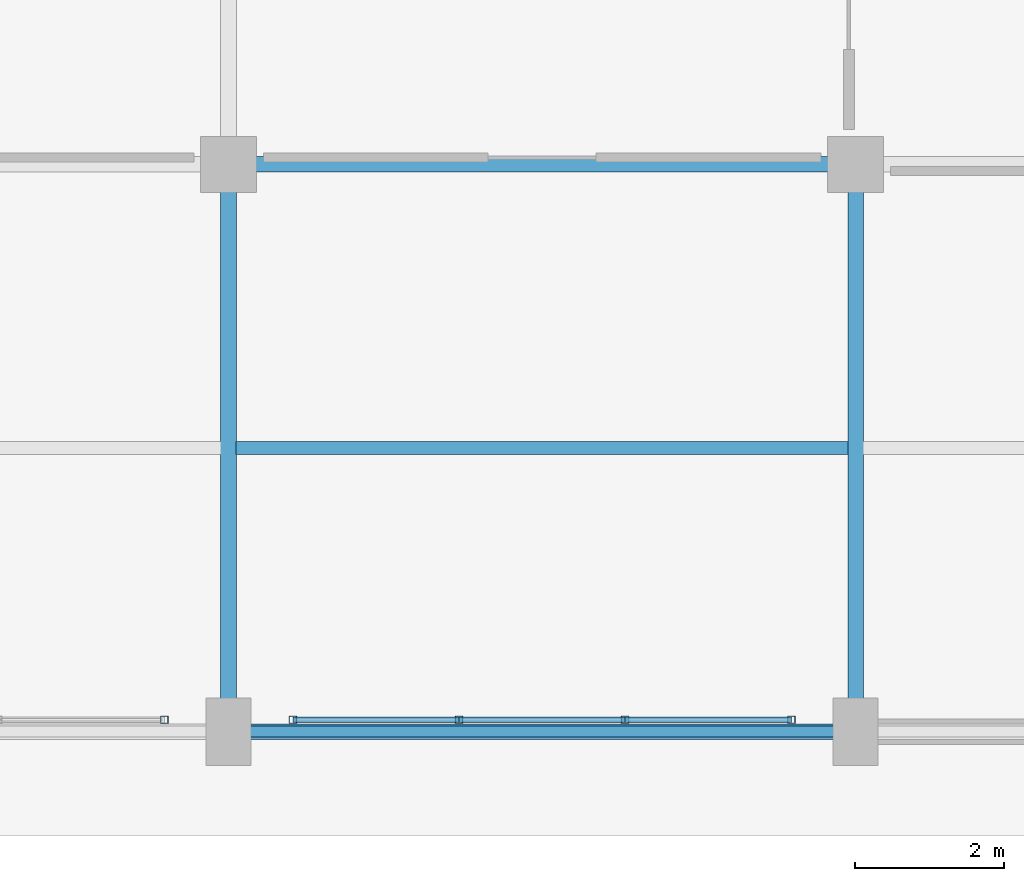
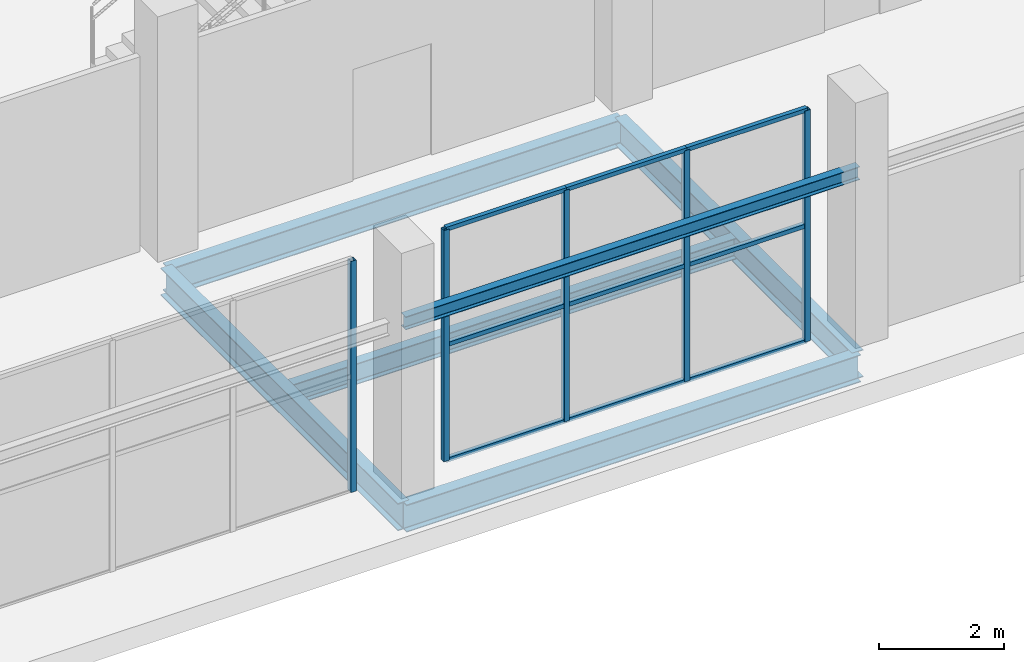
# One storey, part 5 of 36: 14 members, 6 beams, 2 elements without a shape of their own.
"""IFC4 building model written with IfcOpenShell, lengths in metres."""

from ifc_helpers import new_model, si_unit, direction, frame, origin, origin_2d, place, context, subcontext, project, spatial, hollow_rectangle, i_section, extrude, material, material_profile, profile_set, type_object, element, aggregate, save


model = new_model("IFC4")

# Units and contexts
model_context = context("Model", 3, precision=1e-05, world=origin(), true_north=direction((0.0, 1.0)))
body_context = subcontext(model_context, "Body", "Model", "MODEL_VIEW")
ifc_project = project(units=[si_unit("LENGTHUNIT", "METRE"), si_unit("AREAUNIT", "SQUARE_METRE"), si_unit("VOLUMEUNIT", "CUBIC_METRE"), si_unit("PLANEANGLEUNIT", "RADIAN"), si_unit("MASSUNIT", "GRAM", prefix="KILO")], contexts=[model_context])

# Site, building, storey
site_placement = place(None, origin())
site = spatial("IfcSite", under=ifc_project, at=site_placement, CompositionType="ELEMENT")
building_placement = place(site_placement, origin())
building = spatial("IfcBuilding", under=site, at=building_placement, Name="Zuvorla Pavilion Media Centre", CompositionType="ELEMENT")
storey_placement = place(building_placement, origin())
storey = spatial("IfcBuildingStorey", under=building, at=storey_placement, Name="L00", CompositionType="ELEMENT", Elevation=0.0)

# Beams
ifc_material_1 = material(Name="Steel S355", Category="steel")
ifc_material_profile_1 = material_profile(ifc_material_1, i_section(OverallWidth=0.146484375, OverallDepth=0.256103515625, WebThickness=0.00634765625, FlangeThickness=0.010986328125, FilletRadius=0.007568359375, at=origin_2d()), Name="UB 254x146x37")
ifc_profile_set_1 = profile_set([ifc_material_profile_1], Name="Steel S355")
beam_type_1 = type_object("IfcBeamType", Name="BM-UB254", PredefinedType="LINTEL", material=ifc_profile_set_1)
beam_1_placement = place(storey_placement, frame((41.60009765625, 6.0, 3.10009765625), z_axis=(1.0, 0.0, 0.0), x_axis=(0.0, 1.0, 0.0)))
element("IfcBeam", 1, at=beam_1_placement, inside=storey, type_object=beam_type_1, Name="L00 lintel LN01 1755", PredefinedType="LINTEL", context=body_context, shape_type="SweptSolid", body=[
    extrude(i_section(OverallWidth=0.146484375, OverallDepth=0.256103515625, WebThickness=0.00634765625, FlangeThickness=0.010986328125, FilletRadius=0.007568359375, at=origin_2d()), origin(), (0.0, 0.0, 1.0), 8.39990234375),
])
ifc_material_profile_2 = material_profile(ifc_material_1, i_section(OverallWidth=0.1787109375, OverallDepth=0.409423828125, WebThickness=0.0087890625, FlangeThickness=0.014404296875, FilletRadius=0.01025390625, at=origin_2d()), Name="UB 406x178x67")
ifc_profile_set_2 = profile_set([ifc_material_profile_2], Name="Steel S355")
beam_type_2 = type_object("IfcBeamType", Name="BM-UB406", PredefinedType="JOIST", material=ifc_profile_set_2)
beam_2_placement = place(storey_placement, frame((41.699951171875, 9.800048828125, -0.6328125), z_axis=(1.0, 0.0, 0.0), x_axis=(0.0, 1.0, 0.0)))
element("IfcBeam", 2, at=beam_2_placement, inside=storey, type_object=beam_type_2, Name="L00 joist J02 348", PredefinedType="JOIST", context=body_context, shape_type="SweptSolid", body=[
    extrude(i_section(OverallWidth=0.1787109375, OverallDepth=0.409423828125, WebThickness=0.0087890625, FlangeThickness=0.014404296875, FilletRadius=0.01025390625, at=origin_2d()), origin(), (0.0, 0.0, 1.0), 8.199951171875),
])
ifc_material_profile_3 = material_profile(ifc_material_1, i_section(OverallWidth=0.2099609375, OverallDepth=0.53662109375, WebThickness=0.0107421875, FlangeThickness=0.017333984375, FilletRadius=0.0126953125, at=origin_2d()), Name="UB 533x210x101")
ifc_profile_set_3 = profile_set([ifc_material_profile_3], Name="Steel S355")
beam_type_3 = type_object("IfcBeamType", Name="BM-UB533", PredefinedType="BEAM", material=ifc_profile_set_3)
for number, where, z_axis, x_axis, name in (
    (3, (41.60009765625, 6.0, -0.6962890625), (1.0, 0.0, 0.0), (0.0, 1.0, 0.0), "L00 beam B08 5"),
    (4, (41.60009765625, 13.60009765625, -0.6962890625), (1.0, 0.0, 0.0), (0.0, 1.0, 0.0), "L00 beam B08 22"),
):
    element("IfcBeam", number, at=place(storey_placement, frame(where, z_axis=z_axis, x_axis=x_axis)), inside=storey, type_object=beam_type_3, Name=name, PredefinedType="BEAM", context=body_context, shape_type="SweptSolid", body=[
        extrude(i_section(OverallWidth=0.2099609375, OverallDepth=0.53662109375, WebThickness=0.0107421875, FlangeThickness=0.017333984375, FilletRadius=0.0126953125, at=origin_2d()), origin(), (0.0, 0.0, 1.0), 8.39990234375),
    ])
for number, where, z_axis, x_axis, name in (
    (5, (41.60009765625, 6.0, -0.6962890625), (0.0, 1.0, 0.0), (-1.0, 0.0, 0.0), "L00 beam B08 196"),
    (6, (50.0, 6.0, -0.6962890625), (0.0, 1.0, 0.0), (-1.0, 0.0, 0.0), "L00 beam B08 211"),
):
    element("IfcBeam", number, at=place(storey_placement, frame(where, z_axis=z_axis, x_axis=x_axis)), inside=storey, type_object=beam_type_3, Name=name, PredefinedType="BEAM", context=body_context, shape_type="SweptSolid", body=[
        extrude(i_section(OverallWidth=0.2099609375, OverallDepth=0.53662109375, WebThickness=0.0107421875, FlangeThickness=0.017333984375, FilletRadius=0.0126953125, at=origin_2d()), origin(), (0.0, 0.0, 1.0), 7.60009765625),
    ])

# Curtain wall, member
ifc_material_2 = material(Name="Unitised anodised aluminium and solar glass curtain wall", Category="aluminium")
curtain_wall_type = type_object("IfcCurtainWallType", Name="CW-SYS-85", PredefinedType="USERDEFINED", material=ifc_material_2)
curtain_wall_1_placement = place(storey_placement, origin())
curtain_wall_1 = element("IfcCurtainWall", 7, at=curtain_wall_1_placement, inside=storey, type_object=curtain_wall_type, Name="L00 curtain wall CW85 194", ObjectType="CURTAIN WALL", PredefinedType="USERDEFINED")
ifc_material_3 = material(Name="Anodised aluminium 6063-T6", Category="aluminium")
ifc_material_profile_4 = material_profile(ifc_material_3, hollow_rectangle(XDim=0.10009765625, YDim=0.10009765625, WallThickness=0.00439453125, at=origin_2d()), Name="ALU MULL 100x100")
ifc_profile_set_4 = profile_set([ifc_material_profile_4], Name="Anodised aluminium 6063-T6")
member_type_1 = type_object("IfcMemberType", Name="CW-MULL-100", PredefinedType="MULLION", material=ifc_profile_set_4)
member_1_placement = place(storey_placement, frame((40.7392578125, 6.159912109375, 0.0), z_axis=(0.0, 0.0, 1.0), x_axis=(1.0, 0.0, 0.0)))
member_1 = element("IfcMember", 8, at=member_1_placement, type_object=member_type_1, Name="CW85 mullion 4", PredefinedType="MULLION", context=body_context, shape_type="SweptSolid", body=[
    extrude(hollow_rectangle(XDim=0.10009765625, YDim=0.10009765625, WallThickness=0.00439453125, at=origin_2d()), origin(), (0.0, 0.0, 1.0), 4.52001953125),
])
aggregate(curtain_wall_1, [member_1])

# Curtain wall, members
curtain_wall_2_placement = place(storey_placement, origin())
curtain_wall_2 = element("IfcCurtainWall", 9, at=curtain_wall_2_placement, inside=storey, type_object=curtain_wall_type, Name="L00 curtain wall CW85 195", ObjectType="CURTAIN WALL", PredefinedType="USERDEFINED")
member_2_placement = place(storey_placement, frame((42.460693359375, 6.159912109375, 0.0), z_axis=(0.0, 0.0, 1.0), x_axis=(1.0, 0.0, 0.0)))
member_2 = element("IfcMember", 10, at=member_2_placement, type_object=member_type_1, Name="CW85 mullion 1", PredefinedType="MULLION", context=body_context, shape_type="SweptSolid", body=[
    extrude(hollow_rectangle(XDim=0.10009765625, YDim=0.10009765625, WallThickness=0.00439453125, at=origin_2d()), origin(), (0.0, 0.0, 1.0), 4.52001953125),
])
member_3_placement = place(storey_placement, frame((44.68701171875, 6.159912109375, 0.0), z_axis=(0.0, 0.0, 1.0), x_axis=(1.0, 0.0, 0.0)))
member_3 = element("IfcMember", 11, at=member_3_placement, type_object=member_type_1, Name="CW85 mullion 2", PredefinedType="MULLION", context=body_context, shape_type="SweptSolid", body=[
    extrude(hollow_rectangle(XDim=0.10009765625, YDim=0.10009765625, WallThickness=0.00439453125, at=origin_2d()), origin(), (0.0, 0.0, 1.0), 4.52001953125),
])
member_4_placement = place(storey_placement, frame((46.9130859375, 6.159912109375, 0.0), z_axis=(0.0, 0.0, 1.0), x_axis=(1.0, 0.0, 0.0)))
member_4 = element("IfcMember", 12, at=member_4_placement, type_object=member_type_1, Name="CW85 mullion 3", PredefinedType="MULLION", context=body_context, shape_type="SweptSolid", body=[
    extrude(hollow_rectangle(XDim=0.10009765625, YDim=0.10009765625, WallThickness=0.00439453125, at=origin_2d()), origin(), (0.0, 0.0, 1.0), 4.52001953125),
])
member_5_placement = place(storey_placement, frame((49.13916015625, 6.159912109375, 0.0), z_axis=(0.0, 0.0, 1.0), x_axis=(1.0, 0.0, 0.0)))
member_5 = element("IfcMember", 13, at=member_5_placement, type_object=member_type_1, Name="CW85 mullion 4", PredefinedType="MULLION", context=body_context, shape_type="SweptSolid", body=[
    extrude(hollow_rectangle(XDim=0.10009765625, YDim=0.10009765625, WallThickness=0.00439453125, at=origin_2d()), origin(), (0.0, 0.0, 1.0), 4.52001953125),
])
ifc_material_profile_5 = material_profile(ifc_material_3, hollow_rectangle(XDim=0.080078125, YDim=0.080078125, WallThickness=0.00390625, at=origin_2d()), Name="ALU TRAN 80x80")
ifc_profile_set_5 = profile_set([ifc_material_profile_5], Name="Anodised aluminium 6063-T6")
member_type_2 = type_object("IfcMemberType", Name="CW-TRAN-80", PredefinedType="USERDEFINED", material=ifc_profile_set_5)
member_6_placement = place(storey_placement, frame((42.460693359375, 6.159912109375, 0.0), z_axis=(1.0, 0.0, 0.0), x_axis=(0.0, 1.0, 0.0)))
member_6 = element("IfcMember", 14, at=member_6_placement, type_object=member_type_2, Name="CW85 transom 1.1", ObjectType="TRANSOM", PredefinedType="USERDEFINED", context=body_context, shape_type="SweptSolid", body=[
    extrude(hollow_rectangle(XDim=0.080078125, YDim=0.080078125, WallThickness=0.00390625, at=origin_2d()), origin(), (0.0, 0.0, 1.0), 2.226318359375),
])
member_7_placement = place(storey_placement, frame((42.460693359375, 6.159912109375, 2.260009765625), z_axis=(1.0, 0.0, 0.0), x_axis=(0.0, 1.0, 0.0)))
member_7 = element("IfcMember", 15, at=member_7_placement, type_object=member_type_2, Name="CW85 transom 1.2", ObjectType="TRANSOM", PredefinedType="USERDEFINED", context=body_context, shape_type="SweptSolid", body=[
    extrude(hollow_rectangle(XDim=0.080078125, YDim=0.080078125, WallThickness=0.00390625, at=origin_2d()), origin(), (0.0, 0.0, 1.0), 2.226318359375),
])
member_8_placement = place(storey_placement, frame((42.460693359375, 6.159912109375, 4.52001953125), z_axis=(1.0, 0.0, 0.0), x_axis=(0.0, 1.0, 0.0)))
member_8 = element("IfcMember", 16, at=member_8_placement, type_object=member_type_2, Name="CW85 transom 1.3", ObjectType="TRANSOM", PredefinedType="USERDEFINED", context=body_context, shape_type="SweptSolid", body=[
    extrude(hollow_rectangle(XDim=0.080078125, YDim=0.080078125, WallThickness=0.00390625, at=origin_2d()), origin(), (0.0, 0.0, 1.0), 2.226318359375),
])
member_9_placement = place(storey_placement, frame((44.68701171875, 6.159912109375, 0.0), z_axis=(1.0, 0.0, 0.0), x_axis=(0.0, 1.0, 0.0)))
member_9 = element("IfcMember", 17, at=member_9_placement, type_object=member_type_2, Name="CW85 transom 2.1", ObjectType="TRANSOM", PredefinedType="USERDEFINED", context=body_context, shape_type="SweptSolid", body=[
    extrude(hollow_rectangle(XDim=0.080078125, YDim=0.080078125, WallThickness=0.00390625, at=origin_2d()), origin(), (0.0, 0.0, 1.0), 2.22607421875),
])
member_10_placement = place(storey_placement, frame((44.68701171875, 6.159912109375, 2.260009765625), z_axis=(1.0, 0.0, 0.0), x_axis=(0.0, 1.0, 0.0)))
member_10 = element("IfcMember", 18, at=member_10_placement, type_object=member_type_2, Name="CW85 transom 2.2", ObjectType="TRANSOM", PredefinedType="USERDEFINED", context=body_context, shape_type="SweptSolid", body=[
    extrude(hollow_rectangle(XDim=0.080078125, YDim=0.080078125, WallThickness=0.00390625, at=origin_2d()), origin(), (0.0, 0.0, 1.0), 2.22607421875),
])
member_11_placement = place(storey_placement, frame((44.68701171875, 6.159912109375, 4.52001953125), z_axis=(1.0, 0.0, 0.0), x_axis=(0.0, 1.0, 0.0)))
member_11 = element("IfcMember", 19, at=member_11_placement, type_object=member_type_2, Name="CW85 transom 2.3", ObjectType="TRANSOM", PredefinedType="USERDEFINED", context=body_context, shape_type="SweptSolid", body=[
    extrude(hollow_rectangle(XDim=0.080078125, YDim=0.080078125, WallThickness=0.00390625, at=origin_2d()), origin(), (0.0, 0.0, 1.0), 2.22607421875),
])
member_12_placement = place(storey_placement, frame((46.9130859375, 6.159912109375, 0.0), z_axis=(1.0, 0.0, 0.0), x_axis=(0.0, 1.0, 0.0)))
member_12 = element("IfcMember", 20, at=member_12_placement, type_object=member_type_2, Name="CW85 transom 3.1", ObjectType="TRANSOM", PredefinedType="USERDEFINED", context=body_context, shape_type="SweptSolid", body=[
    extrude(hollow_rectangle(XDim=0.080078125, YDim=0.080078125, WallThickness=0.00390625, at=origin_2d()), origin(), (0.0, 0.0, 1.0), 2.22607421875),
])
member_13_placement = place(storey_placement, frame((46.9130859375, 6.159912109375, 2.260009765625), z_axis=(1.0, 0.0, 0.0), x_axis=(0.0, 1.0, 0.0)))
member_13 = element("IfcMember", 21, at=member_13_placement, type_object=member_type_2, Name="CW85 transom 3.2", ObjectType="TRANSOM", PredefinedType="USERDEFINED", context=body_context, shape_type="SweptSolid", body=[
    extrude(hollow_rectangle(XDim=0.080078125, YDim=0.080078125, WallThickness=0.00390625, at=origin_2d()), origin(), (0.0, 0.0, 1.0), 2.22607421875),
])
member_14_placement = place(storey_placement, frame((46.9130859375, 6.159912109375, 4.52001953125), z_axis=(1.0, 0.0, 0.0), x_axis=(0.0, 1.0, 0.0)))
member_14 = element("IfcMember", 22, at=member_14_placement, type_object=member_type_2, Name="CW85 transom 3.3", ObjectType="TRANSOM", PredefinedType="USERDEFINED", context=body_context, shape_type="SweptSolid", body=[
    extrude(hollow_rectangle(XDim=0.080078125, YDim=0.080078125, WallThickness=0.00390625, at=origin_2d()), origin(), (0.0, 0.0, 1.0), 2.22607421875),
])
aggregate(curtain_wall_2, [member_2, member_3, member_4, member_5, member_6, member_7, member_8, member_9, member_10, member_11, member_12, member_13, member_14])

save(model, "model.ifc")
